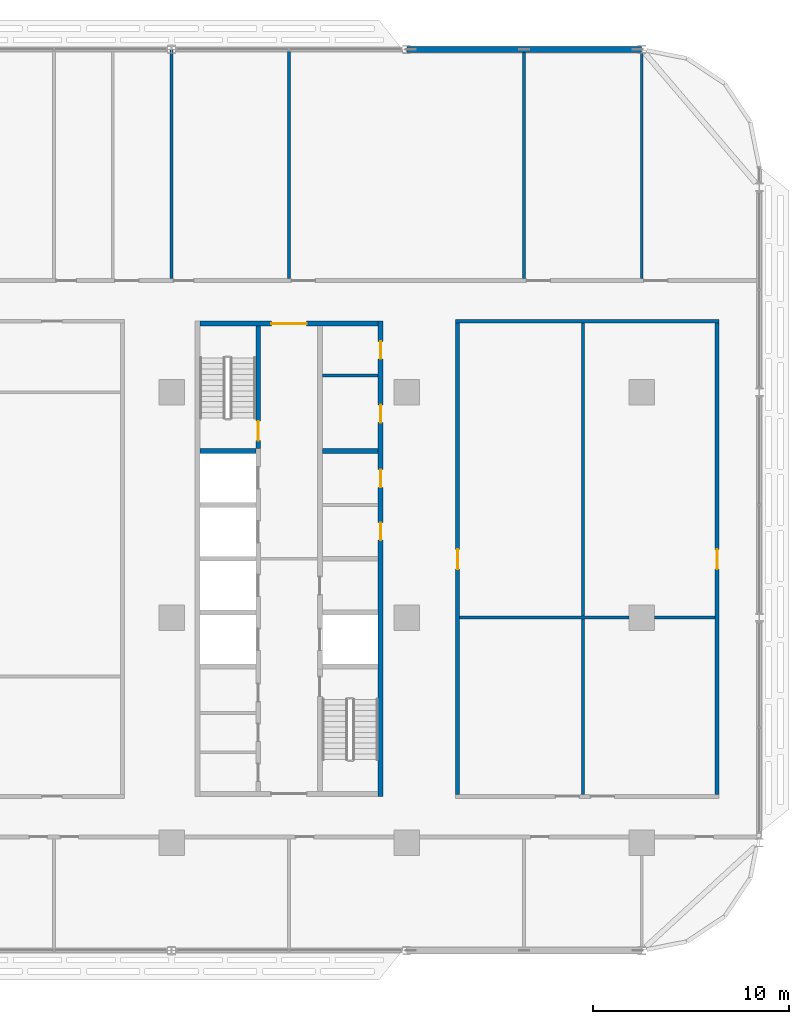
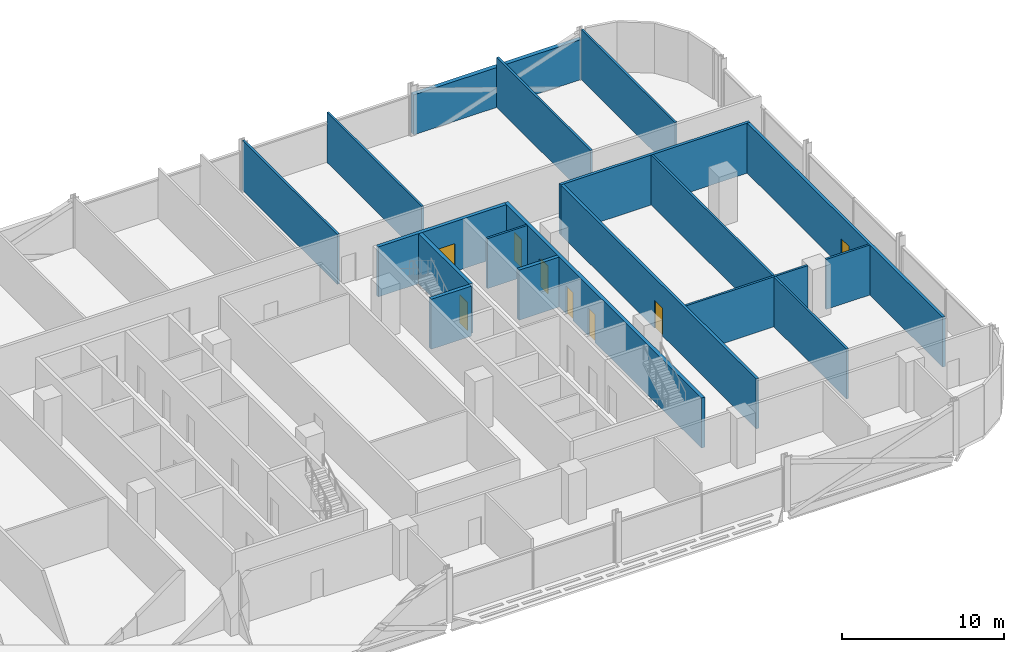
# One storey, part 18 of 29: 17 walls, 8 doors, 8 openings.
"""IFC4 building model written with IfcOpenShell, lengths in metres."""

from ifc_helpers import new_model, si_unit, direction, frame, frame_2d, origin, place, context, subcontext, project, spatial, rectangle, extrude, material, layer, layer_set, type_object, element, fill, save


model = new_model("IFC4")

# Units and contexts
model_context = context("Model", 3, precision=1e-05, world=origin(), true_north=direction((0.0, 1.0)))
body_context = subcontext(model_context, "Body", "Model", "MODEL_VIEW")
ifc_project = project(units=[si_unit("LENGTHUNIT", "METRE"), si_unit("AREAUNIT", "SQUARE_METRE"), si_unit("VOLUMEUNIT", "CUBIC_METRE"), si_unit("PLANEANGLEUNIT", "RADIAN"), si_unit("MASSUNIT", "GRAM", prefix="KILO")], contexts=[model_context])

# Site, building, storey
site_placement = place(None, origin())
site = spatial("IfcSite", under=ifc_project, at=site_placement, CompositionType="ELEMENT")
building_placement = place(site_placement, origin())
building = spatial("IfcBuilding", under=site, at=building_placement, Name="Mahtab Terrace Research Tower", CompositionType="ELEMENT")
storey_placement = place(building_placement, frame((0.0, 0.0, 126.10009765625)))
storey = spatial("IfcBuildingStorey", under=building, at=storey_placement, Name="L29", CompositionType="ELEMENT", Elevation=126.10009765625)

# Wall
ifc_material_1 = material(Name="Gypsum board partition")
ifc_layer_1 = layer(ifc_material_1, 0.14990234375)
ifc_layer_set_1 = layer_set([ifc_layer_1], Name="Core partition 150")
wall_type_1 = type_object("IfcWallType", Name="Core partition 150", PredefinedType="PARTITIONING", material=ifc_layer_set_1)
wall_1_placement = place(storey_placement, frame((25.699951171875, 12.35498046875, 0.0), z_axis=(0.0, 0.0, 1.0), x_axis=(1.0, 0.0, 0.0)))
element("IfcWall", 1, at=wall_1_placement, inside=storey, type_object=wall_type_1, Name="Core wall C pEN936", PredefinedType="PARTITIONING", context=body_context, shape_type="SweptSolid", body=[
    extrude(rectangle(XDim=2.85009765625, YDim=0.14990234375, at=frame_2d((1.425048828125, 0.0))), origin(), (0.0, 0.0, 1.0), 3.760009765625),
])

# Wall, openings, doors
ifc_material_2 = material(Name="Concrete C70/85", Category="concrete")
ifc_layer_2 = layer(ifc_material_2, 0.25)
ifc_layer_set_2 = layer_set([ifc_layer_2], Name="Core wall 250")
wall_type_2 = type_object("IfcWallType", Name="Core wall 250", PredefinedType="SOLIDWALL", material=ifc_layer_set_2)
wall_2_placement = place(storey_placement, frame((28.675048828125, -9.125, 0.0), z_axis=(0.0, 0.0, 1.0), x_axis=(0.0, 1.0, 0.0)))
wall_2 = element("IfcWall", 2, at=wall_2_placement, inside=storey, type_object=wall_type_2, Name="Core wall C outerE", PredefinedType="SOLIDWALL", context=body_context, shape_type="SweptSolid", body=[
    extrude(rectangle(XDim=24.25, YDim=0.25, at=frame_2d((12.125, 0.0))), origin(), (0.0, 0.0, 1.0), 3.760009765625),
])
opening_1_placement = place(wall_2_placement, frame((13.074951171875, 0.0, 0.0)))
opening_1 = element("IfcOpeningElement", 3, at=opening_1_placement, cuts=wall_2, Name="Opening C-R2", PredefinedType="OPENING", context=body_context, shape_type="SweptSolid", body=[
    extrude(rectangle(XDim=0.89990234375, YDim=2.10009765625, at=frame_2d((0.449951171875, 1.050048828125))), frame((0.0, 0.135009765625, 0.0), z_axis=(0.0, -1.0, 0.0), x_axis=(1.0, 0.0, 0.0)), (0.0, 0.0, 1.0), 0.27001953125),
])
opening_2_placement = place(wall_2_placement, frame((15.77490234375, 0.0, 0.0)))
opening_2 = element("IfcOpeningElement", 4, at=opening_2_placement, cuts=wall_2, Name="Opening C-R3", PredefinedType="OPENING", context=body_context, shape_type="SweptSolid", body=[
    extrude(rectangle(XDim=0.89990234375, YDim=2.10009765625, at=frame_2d((0.449951171875, 1.050048828125))), frame((0.0, 0.135009765625, 0.0), z_axis=(0.0, -1.0, 0.0), x_axis=(1.0, 0.0, 0.0)), (0.0, 0.0, 1.0), 0.27001953125),
])
opening_3_placement = place(wall_2_placement, frame((19.074951171875, 0.0, 0.0)))
opening_3 = element("IfcOpeningElement", 5, at=opening_3_placement, cuts=wall_2, Name="Opening C-R7", PredefinedType="OPENING", context=body_context, shape_type="SweptSolid", body=[
    extrude(rectangle(XDim=0.89990234375, YDim=2.10009765625, at=frame_2d((0.449951171875, 1.050048828125))), frame((0.0, 0.135009765625, 0.0), z_axis=(0.0, -1.0, 0.0), x_axis=(1.0, 0.0, 0.0)), (0.0, 0.0, 1.0), 0.27001953125),
])
opening_4_placement = place(wall_2_placement, frame((22.327392578125, 0.0, 0.0)))
opening_4 = element("IfcOpeningElement", 6, at=opening_4_placement, cuts=wall_2, Name="Opening C-R8", PredefinedType="OPENING", context=body_context, shape_type="SweptSolid", body=[
    extrude(rectangle(XDim=0.89990234375, YDim=2.10009765625, at=frame_2d((0.449951171875, 1.050048828125))), frame((0.0, 0.135009765625, 0.0), z_axis=(0.0, -1.0, 0.0), x_axis=(1.0, 0.0, 0.0)), (0.0, 0.0, 1.0), 0.27001953125),
])
ifc_material_3 = material(Name="Steel fire door", Category="steel")
door_type_1 = type_object("IfcDoorType", Name="Room door 900x2100 1 HR", OperationType="NOTDEFINED", PredefinedType="DOOR", material=ifc_material_3)
door_1_placement = place(opening_1_placement, origin())
door_1 = element("IfcDoor", 7, at=door_1_placement, inside=storey, type_object=door_type_1, Name="Document store door", OperationType="SINGLE_SWING_RIGHT", OverallHeight=2.10009765625, OverallWidth=0.89990234375, PredefinedType="DOOR", context=body_context, shape_type="SweptSolid", body=[
    extrude(rectangle(XDim=0.89990234375, YDim=2.10009765625, at=frame_2d((0.449951171875, 1.050048828125))), frame((0.0, 0.02490234375, 0.0), z_axis=(0.0, -1.0, 0.0), x_axis=(1.0, 0.0, 0.0)), (0.0, 0.0, 1.0), 0.050048828125),
])
fill(opening_1, door_1)
door_2_placement = place(opening_2_placement, origin())
door_2 = element("IfcDoor", 8, at=door_2_placement, inside=storey, type_object=door_type_1, Name="IT equipment room door", OperationType="SINGLE_SWING_LEFT", OverallHeight=2.10009765625, OverallWidth=0.89990234375, PredefinedType="DOOR", context=body_context, shape_type="SweptSolid", body=[
    extrude(rectangle(XDim=0.89990234375, YDim=2.10009765625, at=frame_2d((0.449951171875, 1.050048828125))), frame((0.0, 0.02490234375, 0.0), z_axis=(0.0, -1.0, 0.0), x_axis=(1.0, 0.0, 0.0)), (0.0, 0.0, 1.0), 0.050048828125),
])
fill(opening_2, door_2)
door_3_placement = place(opening_3_placement, origin())
door_3 = element("IfcDoor", 9, at=door_3_placement, inside=storey, type_object=door_type_1, Name="Pantry door", OperationType="SINGLE_SWING_LEFT", OverallHeight=2.10009765625, OverallWidth=0.89990234375, PredefinedType="DOOR", context=body_context, shape_type="SweptSolid", body=[
    extrude(rectangle(XDim=0.89990234375, YDim=2.10009765625, at=frame_2d((0.449951171875, 1.050048828125))), frame((0.0, 0.02490234375, 0.0), z_axis=(0.0, -1.0, 0.0), x_axis=(1.0, 0.0, 0.0)), (0.0, 0.0, 1.0), 0.050048828125),
])
fill(opening_3, door_3)
door_4_placement = place(opening_4_placement, origin())
door_4 = element("IfcDoor", 10, at=door_4_placement, inside=storey, type_object=door_type_1, Name="Linen store door", OperationType="SINGLE_SWING_RIGHT", OverallHeight=2.10009765625, OverallWidth=0.89990234375, PredefinedType="DOOR", context=body_context, shape_type="SweptSolid", body=[
    extrude(rectangle(XDim=0.89990234375, YDim=2.10009765625, at=frame_2d((0.449951171875, 1.050048828125))), frame((0.0, 0.02490234375, 0.0), z_axis=(0.0, -1.0, 0.0), x_axis=(1.0, 0.0, 0.0)), (0.0, 0.0, 1.0), 0.050048828125),
])
fill(opening_4, door_4)

# Wall, opening, door
wall_3_placement = place(storey_placement, frame((19.449951171875, 15.0, 0.0), z_axis=(0.0, 0.0, 1.0), x_axis=(1.0, 0.0, 0.0)))
wall_3 = element("IfcWall", 11, at=wall_3_placement, inside=storey, type_object=wall_type_2, Name="Core wall C endN", PredefinedType="SOLIDWALL", context=body_context, shape_type="SweptSolid", body=[
    extrude(rectangle(XDim=9.10009765625, YDim=0.25, at=frame_2d((4.550048828125, 0.0))), origin(), (0.0, 0.0, 1.0), 3.760009765625),
])
opening_5_placement = place(wall_3_placement, frame((3.64990234375, 0.0, 0.0)))
opening_5 = element("IfcOpeningElement", 12, at=opening_5_placement, cuts=wall_3, Name="Opening C-N1", PredefinedType="OPENING", context=body_context, shape_type="SweptSolid", body=[
    extrude(rectangle(XDim=1.800048828125, YDim=2.10009765625, at=frame_2d((0.89990234375, 1.050048828125))), frame((0.0, 0.135009765625, 0.0), z_axis=(0.0, -1.0, 0.0), x_axis=(1.0, 0.0, 0.0)), (0.0, 0.0, 1.0), 0.27001953125),
])
door_type_2 = type_object("IfcDoorType", Name="Lobby double door 1800x2100 1 HR", OperationType="DOUBLE_DOOR_SINGLE_SWING", PredefinedType="DOOR", material=ifc_material_3)
door_5_placement = place(opening_5_placement, origin())
door_5 = element("IfcDoor", 13, at=door_5_placement, inside=storey, type_object=door_type_2, Name="Core entrance door C N", OperationType="DOUBLE_DOOR_SINGLE_SWING", OverallHeight=2.10009765625, OverallWidth=1.800048828125, PredefinedType="DOOR", context=body_context, shape_type="SweptSolid", body=[
    extrude(rectangle(XDim=1.800048828125, YDim=2.10009765625, at=frame_2d((0.89990234375, 1.050048828125))), frame((0.0, 0.02490234375, 0.0), z_axis=(0.0, -1.0, 0.0), x_axis=(1.0, 0.0, 0.0)), (0.0, 0.0, 1.0), 0.050048828125),
])
fill(opening_5, door_5)

wall_4_placement = place(storey_placement, frame((22.425048828125, 14.875, 0.0), z_axis=(0.0, 0.0, 1.0), x_axis=(0.0, -1.0, 0.0)))
wall_4 = element("IfcWall", 14, at=wall_4_placement, inside=storey, type_object=wall_type_2, Name="Core wall C innerWN", PredefinedType="SOLIDWALL", context=body_context, shape_type="SweptSolid", body=[
    extrude(rectangle(XDim=6.25, YDim=0.25, at=frame_2d((3.125, 0.0))), origin(), (0.0, 0.0, 1.0), 3.760009765625),
])
opening_6_placement = place(wall_4_placement, frame((4.85009765625, 0.0, 0.0)))
opening_6 = element("IfcOpeningElement", 15, at=opening_6_placement, cuts=wall_4, Name="Opening C-ST3", PredefinedType="OPENING", context=body_context, shape_type="SweptSolid", body=[
    extrude(rectangle(XDim=1.0, YDim=2.10009765625, at=frame_2d((0.5, 1.050048828125))), frame((0.0, 0.135009765625, 0.0), z_axis=(0.0, -1.0, 0.0), x_axis=(1.0, 0.0, 0.0)), (0.0, 0.0, 1.0), 0.27001953125),
])
door_type_3 = type_object("IfcDoorType", Name="Stair door 1000x2100 1.5 HR", OperationType="NOTDEFINED", PredefinedType="DOOR", material=ifc_material_3)
door_6_placement = place(opening_6_placement, origin())
door_6 = element("IfcDoor", 16, at=door_6_placement, inside=storey, type_object=door_type_3, Name="Stair door ST3 L29", OperationType="SINGLE_SWING_LEFT", OverallHeight=2.10009765625, OverallWidth=1.0, PredefinedType="DOOR", context=body_context, shape_type="SweptSolid", body=[
    extrude(rectangle(XDim=1.0, YDim=2.10009765625, at=frame_2d((0.5, 1.050048828125))), frame((0.0, 0.02490234375, 0.0), z_axis=(0.0, -1.0, 0.0), x_axis=(1.0, 0.0, 0.0)), (0.0, 0.0, 1.0), 0.050048828125),
])
fill(opening_6, door_6)

# Walls
for number, where, z_axis, x_axis, name in (
    (17, (19.449951171875, 8.5, 0.0), (0.0, 0.0, 1.0), (1.0, 0.0, 0.0), "Core wall C divW4"),
    (18, (25.699951171875, 8.5, 0.0), (0.0, 0.0, 1.0), (1.0, 0.0, 0.0), "Core wall C divE4"),
):
    element("IfcWall", number, at=place(storey_placement, frame(where, z_axis=z_axis, x_axis=x_axis)), inside=storey, type_object=wall_type_2, Name=name, PredefinedType="SOLIDWALL", context=body_context, shape_type="SweptSolid", body=[
        extrude(rectangle(XDim=2.85009765625, YDim=0.25, at=frame_2d((1.425048828125, 0.0))), origin(), (0.0, 0.0, 1.0), 3.760009765625),
    ])
ifc_material_4 = material(Name="Black aluminium cladding panel", Category="aluminium")
ifc_layer_3 = layer(ifc_material_4, 0.300048828125)
ifc_layer_set_3 = layer_set([ifc_layer_3], Name="Opaque facade wall 300")
wall_type_3 = type_object("IfcWallType", Name="Opaque facade wall 300", PredefinedType="NOTDEFINED", material=ifc_layer_set_3)
wall_5_placement = place(storey_placement, frame((41.982177734375, 29.0, 0.0), z_axis=(0.0, 0.0, 1.0), x_axis=(-1.0, 0.0, 0.0)))
element("IfcWall", 19, at=wall_5_placement, inside=storey, type_object=wall_type_3, Name="Opaque facade wall L29 N3", PredefinedType="NOTDEFINED", context=body_context, shape_type="SweptSolid", body=[
    extrude(rectangle(XDim=11.96435546875, YDim=0.300048828125, at=frame_2d((5.982177734375, 0.0))), origin(), (0.0, 0.0, 1.0), 3.0029296875),
])
ifc_material_5 = material(Name="Gypsum board corridor wall on steel studs", Category="steel")
ifc_layer_4 = layer(ifc_material_5, 0.199951171875)
ifc_layer_set_4 = layer_set([ifc_layer_4], Name="WALL CORRIDOR 200")
wall_type_4 = type_object("IfcWallType", Name="WALL CORRIDOR 200", PredefinedType="PARTITIONING", material=ifc_layer_set_4)
wall_6_placement = place(storey_placement, frame((32.5, 15.125, 0.0), z_axis=(0.0, 0.0, 1.0), x_axis=(1.0, 0.0, 0.0)))
element("IfcWall", 20, at=wall_6_placement, inside=storey, type_object=wall_type_4, Name="L29-W025", PredefinedType="PARTITIONING", context=body_context, shape_type="SweptSolid", body=[
    extrude(rectangle(XDim=13.449951171875, YDim=0.199951171875, at=frame_2d((6.72509765625, 0.0))), origin(), (0.0, 0.0, 1.0), 3.760009765625),
])

# Wall, opening, door
wall_7_placement = place(storey_placement, frame((32.60009765625, -9.02490234375, 0.0), z_axis=(0.0, 0.0, 1.0), x_axis=(0.0, 1.0, 0.0)))
wall_7 = element("IfcWall", 21, at=wall_7_placement, inside=storey, type_object=wall_type_4, Name="L29-W053", PredefinedType="PARTITIONING", context=body_context, shape_type="SweptSolid", body=[
    extrude(rectangle(XDim=24.0498046875, YDim=0.199951171875, at=frame_2d((12.02490234375, 0.0))), origin(), (0.0, 0.0, 1.0), 3.760009765625),
])
opening_7_placement = place(wall_7_placement, frame((11.5, 0.0, 0.0)))
opening_7 = element("IfcOpeningElement", 22, at=opening_7_placement, cuts=wall_7, Name="Opening L29-121", PredefinedType="OPENING", context=body_context, shape_type="SweptSolid", body=[
    extrude(rectangle(XDim=1.0, YDim=2.10009765625, at=frame_2d((0.5, 1.050048828125))), frame((0.0, 0.10986328125, 0.0), z_axis=(0.0, -1.0, 0.0), x_axis=(1.0, 0.0, 0.0)), (0.0, 0.0, 1.0), 0.219970703125),
])
ifc_material_6 = material(Name="Timber door leaf in steel frame", Category="steel")
door_type_4 = type_object("IfcDoorType", Name="DOOR 1000X2100 FD30S", OperationType="SINGLE_SWING_LEFT", PredefinedType="DOOR", material=ifc_material_6)
door_7_placement = place(opening_7_placement, origin())
door_7 = element("IfcDoor", 23, at=door_7_placement, inside=storey, type_object=door_type_4, Name="Door L29-121", OperationType="SINGLE_SWING_RIGHT", OverallHeight=2.10009765625, OverallWidth=1.0, PredefinedType="DOOR", context=body_context, shape_type="SweptSolid", body=[
    extrude(rectangle(XDim=1.0, YDim=2.10009765625, at=frame_2d((0.5, 1.050048828125))), frame((0.0, 0.02490234375, 0.0), z_axis=(0.0, -1.0, 0.0), x_axis=(1.0, 0.0, 0.0)), (0.0, 0.0, 1.0), 0.050048828125),
])
fill(opening_7, door_7)

wall_8_placement = place(storey_placement, frame((45.85009765625, -9.02490234375, 0.0), z_axis=(0.0, 0.0, 1.0), x_axis=(0.0, 1.0, 0.0)))
wall_8 = element("IfcWall", 24, at=wall_8_placement, inside=storey, type_object=wall_type_4, Name="L29-W059", PredefinedType="PARTITIONING", context=body_context, shape_type="SweptSolid", body=[
    extrude(rectangle(XDim=24.0498046875, YDim=0.199951171875, at=frame_2d((12.02490234375, 0.0))), origin(), (0.0, 0.0, 1.0), 3.760009765625),
])
opening_8_placement = place(wall_8_placement, frame((11.5, 0.0, 0.0)))
opening_8 = element("IfcOpeningElement", 25, at=opening_8_placement, cuts=wall_8, Name="Opening L29-122", PredefinedType="OPENING", context=body_context, shape_type="SweptSolid", body=[
    extrude(rectangle(XDim=1.0, YDim=2.10009765625, at=frame_2d((0.5, 1.050048828125))), frame((0.0, 0.10986328125, 0.0), z_axis=(0.0, -1.0, 0.0), x_axis=(1.0, 0.0, 0.0)), (0.0, 0.0, 1.0), 0.219970703125),
])
door_8_placement = place(opening_8_placement, origin())
door_8 = element("IfcDoor", 26, at=door_8_placement, inside=storey, type_object=door_type_4, Name="Door L29-122", OperationType="SINGLE_SWING_LEFT", OverallHeight=2.10009765625, OverallWidth=1.0, PredefinedType="DOOR", context=body_context, shape_type="SweptSolid", body=[
    extrude(rectangle(XDim=1.0, YDim=2.10009765625, at=frame_2d((0.5, 1.050048828125))), frame((0.0, 0.02490234375, 0.0), z_axis=(0.0, -1.0, 0.0), x_axis=(1.0, 0.0, 0.0)), (0.0, 0.0, 1.0), 0.050048828125),
])
fill(opening_8, door_8)

# Walls
ifc_material_7 = material(Name="Gypsum board partition on steel studs", Category="steel")
ifc_layer_5 = layer(ifc_material_7, 0.14990234375)
ifc_layer_set_5 = layer_set([ifc_layer_5], Name="WALL PARTITION 150")
wall_type_5 = type_object("IfcWallType", Name="WALL PARTITION 150", PredefinedType="PARTITIONING", material=ifc_layer_set_5)
wall_9_placement = place(storey_placement, frame((32.699951171875, 0.0, 0.0), z_axis=(0.0, 0.0, 1.0), x_axis=(1.0, 0.0, 0.0)))
element("IfcWall", 27, at=wall_9_placement, inside=storey, type_object=wall_type_5, Name="L29-W017", PredefinedType="PARTITIONING", context=body_context, shape_type="SweptSolid", body=[
    extrude(rectangle(XDim=8.650146484375, YDim=0.14990234375, at=frame_2d((4.3251953125, 0.0))), origin(), (0.0, 0.0, 1.0), 3.760009765625),
])
wall_10_placement = place(storey_placement, frame((42.64990234375, 0.0, 0.0), z_axis=(0.0, 0.0, 1.0), x_axis=(1.0, 0.0, 0.0)))
element("IfcWall", 28, at=wall_10_placement, inside=storey, type_object=wall_type_5, Name="L29-W018", PredefinedType="PARTITIONING", context=body_context, shape_type="SweptSolid", body=[
    extrude(rectangle(XDim=3.10009765625, YDim=0.14990234375, at=frame_2d((1.550048828125, 0.0))), origin(), (0.0, 0.0, 1.0), 3.760009765625),
])
for number, where, z_axis, x_axis, name in (
    (29, (18.0, 17.300048828125, 0.0), (0.0, 0.0, 1.0), (0.0, 1.0, 0.0), "L29-W050"),
    (30, (24.0, 17.300048828125, 0.0), (0.0, 0.0, 1.0), (0.0, 1.0, 0.0), "L29-W052"),
):
    element("IfcWall", number, at=place(storey_placement, frame(where, z_axis=z_axis, x_axis=x_axis)), inside=storey, type_object=wall_type_5, Name=name, PredefinedType="PARTITIONING", context=body_context, shape_type="SweptSolid", body=[
        extrude(rectangle(XDim=11.675048828125, YDim=0.14990234375, at=frame_2d((5.83740234375, 0.0))), origin(), (0.0, 0.0, 1.0), 3.760009765625),
    ])
wall_11_placement = place(storey_placement, frame((36.0, 17.300048828125, 0.0), z_axis=(0.0, 0.0, 1.0), x_axis=(0.0, 1.0, 0.0)))
element("IfcWall", 31, at=wall_11_placement, inside=storey, type_object=wall_type_5, Name="L29-W055", PredefinedType="PARTITIONING", context=body_context, shape_type="SweptSolid", body=[
    extrude(rectangle(XDim=11.550048828125, YDim=0.14990234375, at=frame_2d((5.77490234375, 0.0))), origin(), (0.0, 0.0, 1.0), 3.760009765625),
])
wall_12_placement = place(storey_placement, frame((39.0, -9.02490234375, 0.0), z_axis=(0.0, 0.0, 1.0), x_axis=(0.0, 1.0, 0.0)))
element("IfcWall", 32, at=wall_12_placement, inside=storey, type_object=wall_type_5, Name="L29-W056", PredefinedType="PARTITIONING", context=body_context, shape_type="SweptSolid", body=[
    extrude(rectangle(XDim=24.0498046875, YDim=0.14990234375, at=frame_2d((12.02490234375, 0.0))), origin(), (0.0, 0.0, 1.0), 3.760009765625),
])
wall_13_placement = place(storey_placement, frame((42.0, 17.300048828125, 0.0), z_axis=(0.0, 0.0, 1.0), x_axis=(0.0, 1.0, 0.0)))
element("IfcWall", 33, at=wall_13_placement, inside=storey, type_object=wall_type_5, Name="L29-W058", PredefinedType="PARTITIONING", context=body_context, shape_type="SweptSolid", body=[
    extrude(rectangle(XDim=11.547119140625, YDim=0.14990234375, at=frame_2d((5.7734375, 0.0))), origin(), (0.0, 0.0, 1.0), 3.760009765625),
])

save(model, "model.ifc")
